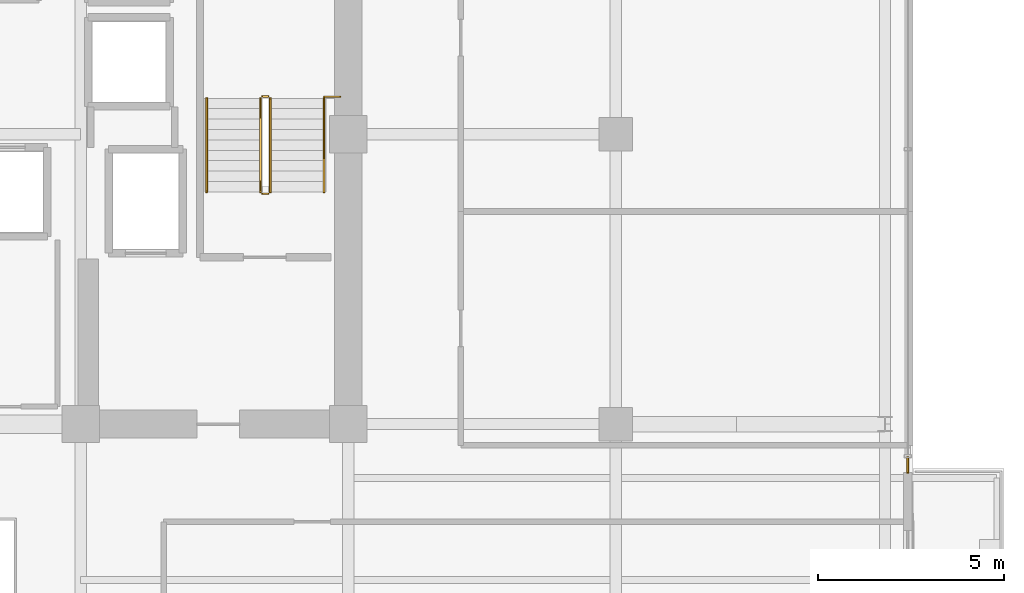
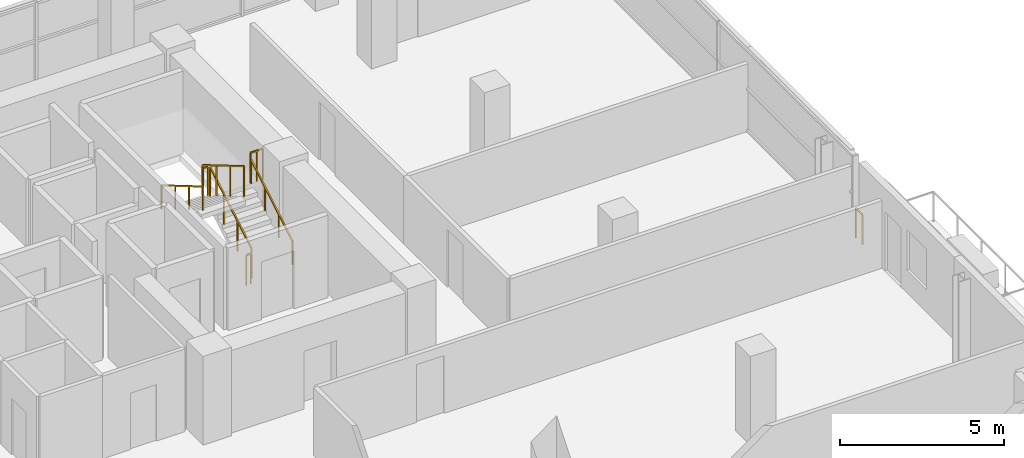
# One storey, part 25 of 27: 8 railings.
"""IFC4 building model written with IfcOpenShell, lengths in metres."""

import ifcopenshell
import ifcopenshell.guid

model = None  # the IFC model being written
_history = None  # IfcOwnerHistory: only IFC2X3 demands one
_inside = {}  # id of a spatial element -> (the spatial element, [elements in it])
_under = {}  # id of a project, library or spatial element -> (it, [spatial elements below it])
_declared = {}  # id of a project -> (the project, [libraries it declares])
_typed = {}  # id of a type object -> (the type object, [elements of that type])
_made_of = {}  # id of a material, layer set ... -> (it, [elements and type objects made of it])


def new_model(schema):
    """Start an empty IFC model of exactly this schema.

    Asked for "IFC4X3", IfcOpenShell would pick the latest addendum, in which some entities
    have other attributes; the version numbers below select the first issue.
    IFC2X3 requires an IfcOwnerHistory on every rooted entity: one is made here for all.
    """
    global model, _history
    if schema == "IFC4X3":
        model = ifcopenshell.file(schema_version=(4, 3, 0, 0))
    else:
        model = ifcopenshell.file(schema=schema)
    _inside.clear()
    _under.clear()
    _declared.clear()
    _typed.clear()
    _made_of.clear()
    _history = None
    if model.schema == "IFC2X3":
        org = make("IfcOrganization", Name="unknown")
        user = make(
            "IfcPersonAndOrganization",
            ThePerson=make("IfcPerson", FamilyName="unknown"),
            TheOrganization=org,
        )
        app = make(
            "IfcApplication",
            ApplicationDeveloper=org,
            Version="unknown",
            ApplicationFullName="unknown",
            ApplicationIdentifier="unknown",
        )
        _history = make(
            "IfcOwnerHistory",
            OwningUser=user,
            OwningApplication=app,
            ChangeAction="ADDED",
            CreationDate=0,
        )
    return model


def make(cls, **values):
    """One entity of the class cls with the attributes given. An attribute that is None is left unset."""
    return model.create_entity(
        cls, **{name: value for name, value in values.items() if value is not None}
    )


def rooted(cls, **values):
    """An entity with a GlobalId (a new one), such as an element, a storey or a relation."""
    return make(cls, GlobalId=ifcopenshell.guid.new(), OwnerHistory=_history, **values)


def si_unit(unit_type, name, prefix=None):
    """IfcSIUnit, for example si_unit("LENGTHUNIT", "METRE", prefix="MILLI")."""
    return make("IfcSIUnit", UnitType=unit_type, Prefix=prefix, Name=name)


def assignment(units):
    """IfcUnitAssignment: the units of a project."""
    return None if units is None else make("IfcUnitAssignment", Units=units)


def point(xyz):
    """IfcCartesianPoint."""
    return None if xyz is None else make("IfcCartesianPoint", Coordinates=xyz)


def direction(xyz):
    """IfcDirection."""
    return None if xyz is None else make("IfcDirection", DirectionRatios=xyz)


def frame(location, z_axis=None, x_axis=None):
    """IfcAxis2Placement3D, a coordinate frame: its origin and axes. An axis left out is left unset."""
    return make(
        "IfcAxis2Placement3D",
        Location=point(location),
        Axis=direction(z_axis),
        RefDirection=direction(x_axis),
    )


def frame_2d(location, x_axis=None):
    """IfcAxis2Placement2D, a coordinate frame in the plane: its origin and x axis."""
    return make(
        "IfcAxis2Placement2D", Location=point(location), RefDirection=direction(x_axis)
    )


def origin():
    """The frame at (0, 0, 0) with its axes left unset."""
    return frame((0.0, 0.0, 0.0))


def origin_2d():
    """The frame at (0, 0) in the plane with its x axis left unset."""
    return frame_2d((0.0, 0.0))


def place(relative_to, where):
    """IfcLocalPlacement: puts the frame where relative to a parent placement (None: the world)."""
    return make(
        "IfcLocalPlacement", PlacementRelTo=relative_to, RelativePlacement=where
    )


def context(
    kind, dimensions, precision=None, world=None, true_north=None, identifier=None
):
    """IfcGeometricRepresentationContext, for example the 3D "Model" context."""
    return make(
        "IfcGeometricRepresentationContext",
        ContextIdentifier=identifier,
        ContextType=kind,
        CoordinateSpaceDimension=dimensions,
        Precision=precision,
        WorldCoordinateSystem=world,
        TrueNorth=true_north,
    )


def subcontext(parent, identifier, kind, view, scale=None):
    """IfcGeometricRepresentationSubContext, for example "Body" below "Model"."""
    return make(
        "IfcGeometricRepresentationSubContext",
        ContextIdentifier=identifier,
        ContextType=kind,
        ParentContext=parent,
        TargetScale=scale,
        TargetView=view,
    )


def project(units=None, contexts=None):
    """IfcProject with its units and contexts."""
    return rooted(
        "IfcProject",
        Name="project",
        RepresentationContexts=contexts,
        UnitsInContext=assignment(units),
    )


def spatial(cls, under=None, at=None, **own):
    """A site, building, storey or space (cls), placed at a placement, below another one or the project."""
    s = rooted(cls, ObjectPlacement=at, **own)
    if under is not None:
        _under.setdefault(under.id(), (under, []))[1].append(s)
    return s


def profile(cls, at=None, kind="AREA", **sizes):
    """A parametric profile (cls). Its sizes go by their IFC names, for example OverallWidth=200.0."""
    return make(cls, ProfileType=kind, Position=at, **sizes)


def rectangle(**sizes):
    """IfcRectangleProfileDef."""
    return profile("IfcRectangleProfileDef", **sizes)


def extrude(swept, where, along, depth):
    """IfcExtrudedAreaSolid: the profile swept, set in the frame where, extruded along a direction by depth."""
    return make(
        "IfcExtrudedAreaSolid",
        SweptArea=swept,
        Position=where,
        ExtrudedDirection=direction(along),
        Depth=depth,
    )


def shape(context_of_items, identifier, shape_type, items):
    """IfcShapeRepresentation: the items that make up one representation, for example the "Body"."""
    return make(
        "IfcShapeRepresentation",
        ContextOfItems=context_of_items,
        RepresentationIdentifier=identifier,
        RepresentationType=shape_type,
        Items=items,
    )


def material(Name=None, Category=None):
    """IfcMaterial."""
    return make("IfcMaterial", Name=Name, Category=Category)


def made_of(thing, what):
    """Note that an element or type object is made of a material, layer set ...; save() writes the relation."""
    if what is not None:
        _made_of.setdefault(what.id(), (what, []))[1].append(thing)
    return thing


def type_object(cls, material=None, **own):
    """A type object (cls), such as IfcWallType, which elements share."""
    return made_of(rooted(cls, **own), material)


def element(
    cls,
    number,
    at=None,
    inside=None,
    cuts=None,
    type_object=None,
    material=None,
    context=None,
    identifier="Body",
    shape_type=None,
    held_by="IfcProductDefinitionShape",
    body=None,
    shapes=None,
    **own,
):
    """One element of the class cls, such as IfcWall. Its Tag is "e" and its number.

    at: its placement. inside: the storey or other place that contains it. cuts: it is an
    opening in that element (IfcRelVoidsElement). A single representation is given by context,
    identifier, shape_type and body (its items); several are given by shapes. held_by: the class
    of the entity that holds the representations. save() writes the other relations.
    """
    e = rooted(cls, Tag="e%d" % number, ObjectPlacement=at, **own)
    if body is not None:
        shapes = [shape(context, identifier, shape_type, body)]
    if shapes is not None:
        e.Representation = make(held_by, Representations=shapes)
    if inside is not None:
        _inside.setdefault(inside.id(), (inside, []))[1].append(e)
    if cuts is not None:
        rooted(
            "IfcRelVoidsElement", RelatingBuildingElement=cuts, RelatedOpeningElement=e
        )
    if type_object is not None:
        _typed.setdefault(type_object.id(), (type_object, []))[1].append(e)
    return made_of(e, material)


def aggregate(whole, parts):
    """IfcRelAggregates: a whole, such as a stair, and the parts it consists of."""
    return rooted("IfcRelAggregates", RelatingObject=whole, RelatedObjects=parts)


def save(model, path):
    """Write the relations noted so far, then the file.

    IfcRelAggregates (storeys below a building ...), IfcRelContainedInSpatialStructure (elements
    in a storey), IfcRelDefinesByType, IfcRelAssociatesMaterial and IfcRelDeclares: one each for
    every whole, place, type object, material and project.
    """
    for whole, parts in _under.values():
        aggregate(whole, parts)
    for where, things in _inside.values():
        rooted(
            "IfcRelContainedInSpatialStructure",
            RelatedElements=things,
            RelatingStructure=where,
        )
    for kind, things in _typed.values():
        rooted("IfcRelDefinesByType", RelatedObjects=things, RelatingType=kind)
    for what, things in _made_of.values():
        rooted("IfcRelAssociatesMaterial", RelatedObjects=things, RelatingMaterial=what)
    for by, libraries in _declared.values():
        rooted("IfcRelDeclares", RelatingContext=by, RelatedDefinitions=libraries)
    model.write(path)


model = new_model("IFC4")

# Units and contexts
model_context = context("Model", 3, precision=1e-05, world=origin(), true_north=direction((0.0, 1.0)))
body_context = subcontext(model_context, "Body", "Model", "MODEL_VIEW")
ifc_project = project(units=[si_unit("LENGTHUNIT", "METRE"), si_unit("AREAUNIT", "SQUARE_METRE"), si_unit("VOLUMEUNIT", "CUBIC_METRE"), si_unit("PLANEANGLEUNIT", "RADIAN"), si_unit("MASSUNIT", "GRAM", prefix="KILO")], contexts=[model_context])

# Site, building, storey
site_placement = place(None, origin())
site = spatial("IfcSite", under=ifc_project, at=site_placement, CompositionType="ELEMENT")
building_placement = place(site_placement, origin())
building = spatial("IfcBuilding", under=site, at=building_placement, Name="Zarnakvel Exchange Tower", CompositionType="ELEMENT")
storey_placement = place(building_placement, frame((0.0, 0.0, 113.199951171875)))
storey = spatial("IfcBuildingStorey", under=building, at=storey_placement, Name="L31", CompositionType="ELEMENT", Elevation=113.199951171875)

# Railings
ifc_material_1 = material(Name="Architectural Bronze Anodised Aluminium", Category="aluminium")
railing_type_1 = type_object("IfcRailingType", Name="GR-02", PredefinedType="GUARDRAIL", material=ifc_material_1)
railing_1_placement = place(storey_placement, frame((29.4599609375, -2.10009765625, 0.0)))
element("IfcRailing", 1, at=railing_1_placement, inside=storey, type_object=railing_type_1, Name="L31 Corner Spandrel Balustrade #11", PredefinedType="GUARDRAIL", context=body_context, shape_type="SweptSolid", body=[
    extrude(rectangle(XDim=0.048095703125, YDim=0.048095703125, at=origin_2d()), frame((0.0, 0.0, 1.09619140625), z_axis=(0.0, -1.0, 0.0), x_axis=(1.0, 0.0, 0.0)), (0.0, 0.0, 1.0), 0.39990234375),
    extrude(rectangle(XDim=0.0419921875, YDim=0.0419921875, at=origin_2d()), origin(), (0.0, 0.0, 1.0), 1.072021484375),
    extrude(rectangle(XDim=0.0419921875, YDim=0.0419921875, at=origin_2d()), frame((0.0, -0.39990234375, 0.0)), (0.0, 0.0, 1.0), 1.072021484375),
])
ifc_material_2 = material(Name="Brushed Stainless Steel", Category="steel")
railing_type_2 = type_object("IfcRailingType", Name="HR-01", PredefinedType="HANDRAIL", material=ifc_material_2)
railing_2_placement = place(storey_placement, frame((13.75, 5.050048828125, 0.1650390625)))
element("IfcRailing", 2, at=railing_2_placement, inside=storey, type_object=railing_type_2, Name="L31 ST-02 stair handrail 1", PredefinedType="HANDRAIL", context=body_context, shape_type="SweptSolid", body=[
    extrude(rectangle(XDim=0.048095703125, YDim=0.048095703125, at=origin_2d()), frame((0.0, 0.0, 0.8759765625), z_axis=(0.0, 0.86152411907, 0.507716645641), x_axis=(-1.0, 0.0, 0.0)), (0.0, 0.0, 1.0), 2.925048828125),
    extrude(rectangle(XDim=0.0419921875, YDim=0.0419921875, at=origin_2d()), origin(), (0.0, 0.0, 1.0), 0.851806640625),
    extrude(rectangle(XDim=0.0419921875, YDim=0.0419921875, at=origin_2d()), frame((0.0, 0.840087890625, 0.4951171875)), (0.0, 0.0, 1.0), 0.851806640625),
    extrude(rectangle(XDim=0.0419921875, YDim=0.0419921875, at=origin_2d()), frame((0.0, 1.679931640625, 0.989990234375)), (0.0, 0.0, 1.0), 0.851806640625),
    extrude(rectangle(XDim=0.0419921875, YDim=0.0419921875, at=origin_2d()), frame((0.0, 2.52001953125, 1.485107421875)), (0.0, 0.0, 1.0), 0.851806640625),
])
railing_3_placement = place(storey_placement, frame((10.590087890625, 7.570068359375, 1.81494140625)))
element("IfcRailing", 3, at=railing_3_placement, inside=storey, type_object=railing_type_2, Name="L31 ST-02 stair handrail 2", PredefinedType="HANDRAIL", context=body_context, shape_type="SweptSolid", body=[
    extrude(rectangle(XDim=0.048095703125, YDim=0.048095703125, at=origin_2d()), frame((0.0, 0.0, 0.8759765625), z_axis=(0.0, -0.86152411907, 0.507716645641), x_axis=(1.0, 0.0, 0.0)), (0.0, 0.0, 1.0), 2.925048828125),
    extrude(rectangle(XDim=0.0419921875, YDim=0.0419921875, at=origin_2d()), origin(), (0.0, 0.0, 1.0), 0.851806640625),
    extrude(rectangle(XDim=0.0419921875, YDim=0.0419921875, at=origin_2d()), frame((0.0, -0.840087890625, 0.4951171875)), (0.0, 0.0, 1.0), 0.851806640625),
    extrude(rectangle(XDim=0.0419921875, YDim=0.0419921875, at=origin_2d()), frame((0.0, -1.679931640625, 0.989990234375)), (0.0, 0.0, 1.0), 0.851806640625),
    extrude(rectangle(XDim=0.0419921875, YDim=0.0419921875, at=origin_2d()), frame((0.0, -2.52001953125, 1.485107421875)), (0.0, 0.0, 1.0), 0.851806640625),
])
railing_type_3 = type_object("IfcRailingType", Name="SG-01", PredefinedType="GUARDRAIL", material=ifc_material_1)
railing_4_placement = place(storey_placement, frame((12.300048828125, 5.050048828125, 0.1650390625)))
element("IfcRailing", 4, at=railing_4_placement, inside=storey, type_object=railing_type_3, Name="L31 ST-02 stair guard 1", PredefinedType="GUARDRAIL", context=body_context, shape_type="SweptSolid", body=[
    extrude(rectangle(XDim=0.048095703125, YDim=0.048095703125, at=origin_2d()), frame((0.0, 0.0, 1.1259765625), z_axis=(0.0, 0.86152411907, 0.507716645641), x_axis=(-1.0, 0.0, 0.0)), (0.0, 0.0, 1.0), 2.925048828125),
    extrude(rectangle(XDim=0.0419921875, YDim=0.0419921875, at=origin_2d()), origin(), (0.0, 0.0, 1.0), 1.101806640625),
    extrude(rectangle(XDim=0.0419921875, YDim=0.0419921875, at=origin_2d()), frame((0.0, 0.840087890625, 0.4951171875)), (0.0, 0.0, 1.0), 1.101806640625),
    extrude(rectangle(XDim=0.0419921875, YDim=0.0419921875, at=origin_2d()), frame((0.0, 1.679931640625, 0.989990234375)), (0.0, 0.0, 1.0), 1.101806640625),
    extrude(rectangle(XDim=0.0419921875, YDim=0.0419921875, at=origin_2d()), frame((0.0, 2.52001953125, 1.485107421875)), (0.0, 0.0, 1.0), 1.101806640625),
])
railing_5_placement = place(storey_placement, frame((12.25, 7.6201171875, 1.650146484375)))
element("IfcRailing", 5, at=railing_5_placement, inside=storey, type_object=railing_type_3, Name="L31 ST-02 stair guard 2", PredefinedType="GUARDRAIL", context=body_context, shape_type="SweptSolid", body=[
    extrude(rectangle(XDim=0.048095703125, YDim=0.048095703125, at=origin_2d()), frame((0.0, 0.0, 1.1259765625), z_axis=(-1.0, 0.0, 0.0), x_axis=(0.0, -1.0, 0.0)), (0.0, 0.0, 1.0), 0.159912109375),
    extrude(rectangle(XDim=0.0419921875, YDim=0.0419921875, at=origin_2d()), origin(), (0.0, 0.0, 1.0), 1.101806640625),
    extrude(rectangle(XDim=0.0419921875, YDim=0.0419921875, at=origin_2d()), frame((-0.159912109375, 0.0, 0.0)), (0.0, 0.0, 1.0), 1.101806640625),
])
railing_6_placement = place(storey_placement, frame((12.0400390625, 7.570068359375, 1.81494140625)))
element("IfcRailing", 6, at=railing_6_placement, inside=storey, type_object=railing_type_3, Name="L31 ST-02 stair guard 3", PredefinedType="GUARDRAIL", context=body_context, shape_type="SweptSolid", body=[
    extrude(rectangle(XDim=0.048095703125, YDim=0.048095703125, at=origin_2d()), frame((0.0, 0.0, 1.1259765625), z_axis=(0.0, -0.86152411907, 0.507716645641), x_axis=(1.0, 0.0, 0.0)), (0.0, 0.0, 1.0), 2.925048828125),
    extrude(rectangle(XDim=0.0419921875, YDim=0.0419921875, at=origin_2d()), origin(), (0.0, 0.0, 1.0), 1.101806640625),
    extrude(rectangle(XDim=0.0419921875, YDim=0.0419921875, at=origin_2d()), frame((0.0, -0.840087890625, 0.4951171875)), (0.0, 0.0, 1.0), 1.101806640625),
    extrude(rectangle(XDim=0.0419921875, YDim=0.0419921875, at=origin_2d()), frame((0.0, -1.679931640625, 0.989990234375)), (0.0, 0.0, 1.0), 1.101806640625),
    extrude(rectangle(XDim=0.0419921875, YDim=0.0419921875, at=origin_2d()), frame((0.0, -2.52001953125, 1.485107421875)), (0.0, 0.0, 1.0), 1.101806640625),
])
railing_7_placement = place(storey_placement, frame((12.25, 5.0, 0.0)))
element("IfcRailing", 7, at=railing_7_placement, inside=storey, type_object=railing_type_3, Name="L31 ST-02 stair guard 4", PredefinedType="GUARDRAIL", context=body_context, shape_type="SweptSolid", body=[
    extrude(rectangle(XDim=0.048095703125, YDim=0.048095703125, at=origin_2d()), frame((0.0, 0.0, 1.1259765625), z_axis=(-1.0, 0.0, 0.0), x_axis=(0.0, -1.0, 0.0)), (0.0, 0.0, 1.0), 0.159912109375),
    extrude(rectangle(XDim=0.0419921875, YDim=0.0419921875, at=origin_2d()), origin(), (0.0, 0.0, 1.0), 1.101806640625),
    extrude(rectangle(XDim=0.0419921875, YDim=0.0419921875, at=origin_2d()), frame((-0.159912109375, 0.0, 0.0)), (0.0, 0.0, 1.0), 1.101806640625),
])
railing_8_placement = place(storey_placement, frame((13.75, 7.610107421875, 1.650146484375)))
element("IfcRailing", 8, at=railing_8_placement, inside=storey, type_object=railing_type_3, Name="L31 ST-02 Landing Slot Guardrail", PredefinedType="GUARDRAIL", context=body_context, shape_type="SweptSolid", body=[
    extrude(rectangle(XDim=0.048095703125, YDim=0.048095703125, at=origin_2d()), frame((0.0, 0.0, 1.1259765625), z_axis=(1.0, 0.0, 0.0), x_axis=(0.0, 1.0, 0.0)), (0.0, 0.0, 1.0), 0.429931640625),
    extrude(rectangle(XDim=0.0419921875, YDim=0.0419921875, at=origin_2d()), origin(), (0.0, 0.0, 1.0), 1.101806640625),
    extrude(rectangle(XDim=0.0419921875, YDim=0.0419921875, at=origin_2d()), frame((0.21484375, 0.0, 0.0)), (0.0, 0.0, 1.0), 1.101806640625),
    extrude(rectangle(XDim=0.0419921875, YDim=0.0419921875, at=origin_2d()), frame((0.429931640625, 0.0, 0.0)), (0.0, 0.0, 1.0), 1.101806640625),
])

save(model, "model.ifc")
